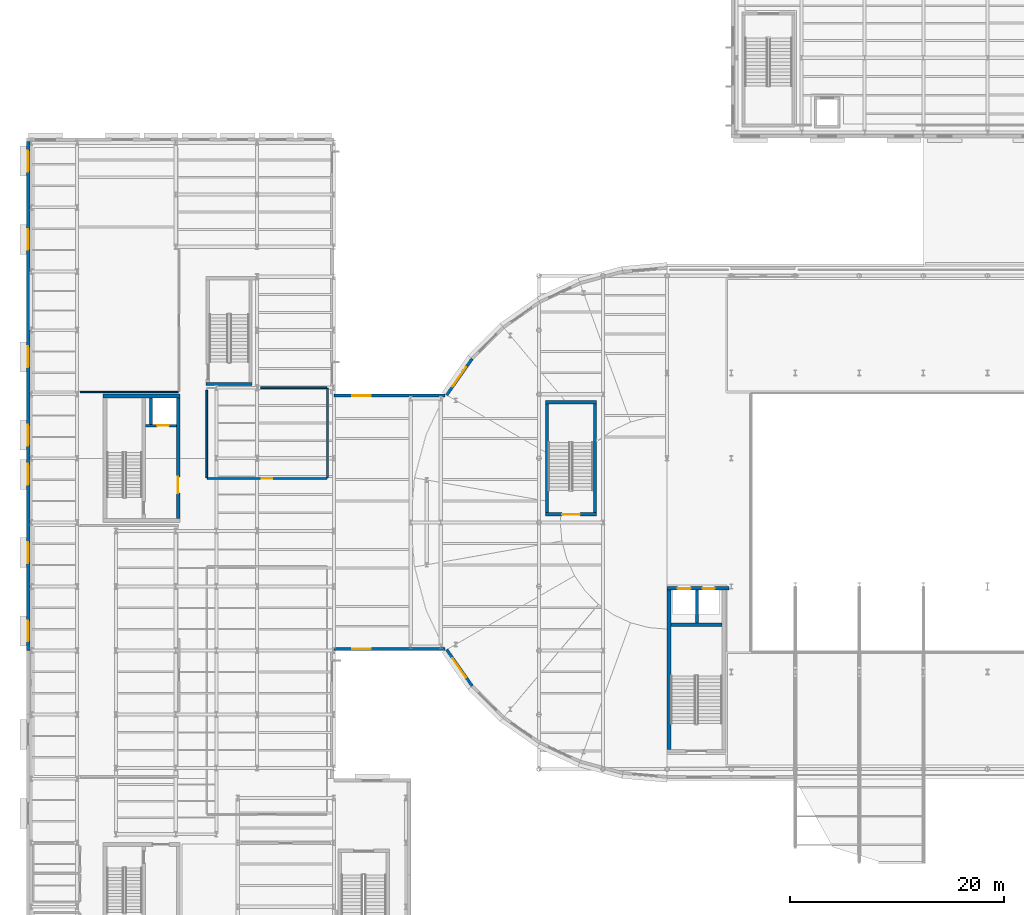
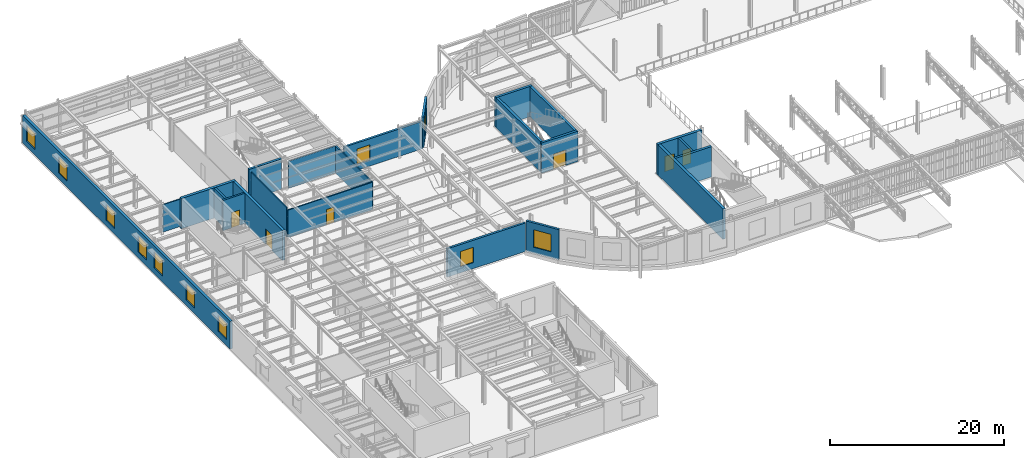
# One storey, part 65 of 91: 23 walls, 11 windows, 6 doors, 17 openings.
"""IFC4 building model written with IfcOpenShell, lengths in metres."""

from ifc_helpers import new_model, si_unit, direction, frame, frame_2d, origin, place, context, subcontext, project, spatial, rectangle, extrude, material, layer, layer_set, type_object, element, fill, save


model = new_model("IFC4")

# Units and contexts
model_context = context("Model", 3, precision=1e-05, world=origin(), true_north=direction((0.0, 1.0)))
body_context = subcontext(model_context, "Body", "Model", "MODEL_VIEW")
ifc_project = project(units=[si_unit("LENGTHUNIT", "METRE"), si_unit("AREAUNIT", "SQUARE_METRE"), si_unit("VOLUMEUNIT", "CUBIC_METRE"), si_unit("PLANEANGLEUNIT", "RADIAN"), si_unit("MASSUNIT", "GRAM", prefix="KILO")], contexts=[model_context])

# Site, building, storey
site_placement = place(None, origin())
site = spatial("IfcSite", under=ifc_project, at=site_placement, CompositionType="ELEMENT")
building_placement = place(site_placement, origin())
building = spatial("IfcBuilding", under=site, at=building_placement, Name="Kolvaren Corner Interchange", CompositionType="ELEMENT")
storey_placement = place(building_placement, frame((0.0, 0.0, 6.0)))
storey = spatial("IfcBuildingStorey", under=building, at=storey_placement, Name="L02", CompositionType="ELEMENT", Elevation=6.0)

# Wall
ifc_material_1 = material(Name="Concrete C35/45", Category="concrete")
ifc_layer_1 = layer(ifc_material_1, 0.35009765625)
ifc_layer_set_1 = layer_set([ifc_layer_1], Name="Concrete C35/45")
wall_type_1 = type_object("IfcWallType", Name="WL-CORE-350", PredefinedType="SHEAR", material=ifc_layer_set_1)
wall_1_placement = place(storey_placement, frame((7.199951171875, 59.824951171875, 0.0), z_axis=(0.0, 0.0, 1.0), x_axis=(1.0, 0.0, 0.0)))
element("IfcWall", 1, at=wall_1_placement, inside=storey, type_object=wall_type_1, Name="Core C2 L02 North Shear Wall", PredefinedType="SHEAR", context=body_context, shape_type="SweptSolid", body=[
    extrude(rectangle(XDim=7.199951171875, YDim=0.35009765625, at=frame_2d((3.60009765625, 0.0))), origin(), (0.0, 0.0, 1.0), 4.25),
])

# Wall, opening, door
wall_2_placement = place(storey_placement, frame((14.22509765625, 48.35009765625, 0.0), z_axis=(0.0, 0.0, 1.0), x_axis=(0.0, 1.0, 0.0)))
wall_2 = element("IfcWall", 2, at=wall_2_placement, inside=storey, type_object=wall_type_1, Name="Core C2 L02 East Shear Wall", PredefinedType="SHEAR", context=body_context, shape_type="SweptSolid", body=[
    extrude(rectangle(XDim=11.2998046875, YDim=0.35009765625, at=frame_2d((5.64990234375, 0.0))), origin(), (0.0, 0.0, 1.0), 4.25),
])
opening_1_placement = place(wall_2_placement, frame((2.39990234375, 0.0, 0.0)))
opening_1 = element("IfcOpeningElement", 3, at=opening_1_placement, cuts=wall_2, Name="Opening D-F02", PredefinedType="OPENING", context=body_context, shape_type="SweptSolid", body=[
    extrude(rectangle(XDim=1.5, YDim=2.14990234375, at=frame_2d((0.75, 1.074951171875))), frame((0.0, 0.18505859375, 0.0), z_axis=(0.0, -1.0, 0.0), x_axis=(1.0, 0.0, 0.0)), (0.0, 0.0, 1.0), 0.3701171875),
])
ifc_material_2 = material(Name="Powder-coated Fire-rated Steel Sheet", Category="steel")
door_type_1 = type_object("IfcDoorType", Name="DT-FD-1500x2150", OperationType="NOTDEFINED", PredefinedType="DOOR", material=ifc_material_2)
door_1_placement = place(opening_1_placement, origin())
door_1 = element("IfcDoor", 4, at=door_1_placement, inside=storey, type_object=door_type_1, Name="Core C2 L02 Firefighting Lobby Corridor Exit Door", OperationType="DOUBLE_DOOR_SINGLE_SWING", OverallHeight=2.14990234375, OverallWidth=1.5, PredefinedType="DOOR", context=body_context, shape_type="SweptSolid", body=[
    extrude(rectangle(XDim=1.5, YDim=2.14990234375, at=frame_2d((0.75, 1.074951171875))), frame((0.0, 0.02490234375, 0.0), z_axis=(0.0, -1.0, 0.0), x_axis=(1.0, 0.0, 0.0)), (0.0, 0.0, 1.0), 0.050048828125),
])
fill(opening_1, door_1)

# Wall, openings, doors
wall_3_placement = place(storey_placement, frame((60.0, 41.824951171875, 0.0), z_axis=(0.0, 0.0, 1.0), x_axis=(1.0, 0.0, 0.0)))
wall_3 = element("IfcWall", 5, at=wall_3_placement, inside=storey, type_object=wall_type_1, Name="Core C3 L02 North Shear Wall", PredefinedType="SHEAR", context=body_context, shape_type="SweptSolid", body=[
    extrude(rectangle(XDim=5.820068359375, YDim=0.35009765625, at=frame_2d((2.91015625, 0.0))), origin(), (0.0, 0.0, 1.0), 4.25),
])
opening_2_placement = place(wall_3_placement, frame((0.989990234375, 0.0, 0.0)))
opening_2 = element("IfcOpeningElement", 6, at=opening_2_placement, cuts=wall_3, Name="Opening LD-LF-P1-L02", PredefinedType="OPENING", context=body_context, shape_type="SweptSolid", body=[
    extrude(rectangle(XDim=1.219970703125, YDim=2.14990234375, at=frame_2d((0.60986328125, 1.074951171875))), frame((0.0, 0.18505859375, 0.0), z_axis=(0.0, -1.0, 0.0), x_axis=(1.0, 0.0, 0.0)), (0.0, 0.0, 1.0), 0.3701171875),
])
opening_3_placement = place(wall_3_placement, frame((3.340087890625, 0.0, 0.0)))
opening_3 = element("IfcOpeningElement", 7, at=opening_3_placement, cuts=wall_3, Name="Opening LD-LF-P3-L02", PredefinedType="OPENING", context=body_context, shape_type="SweptSolid", body=[
    extrude(rectangle(XDim=1.1201171875, YDim=2.14990234375, at=frame_2d((0.56005859375, 1.074951171875))), frame((0.0, 0.18505859375, 0.0), z_axis=(0.0, -1.0, 0.0), x_axis=(1.0, 0.0, 0.0)), (0.0, 0.0, 1.0), 0.3701171875),
])
ifc_material_3 = material(Name="Brushed Stainless Steel Landing Door", Category="steel")
door_type_2 = type_object("IfcDoorType", Name="DT-LIFT-1120", OperationType="NOTDEFINED", PredefinedType="DOOR", material=ifc_material_3)
door_2_placement = place(opening_3_placement, origin())
door_2 = element("IfcDoor", 8, at=door_2_placement, inside=storey, type_object=door_type_2, Name="Passenger Lift LF P3 L02 Sliding Landing Door", OperationType="SLIDING_TO_LEFT", OverallHeight=2.14990234375, OverallWidth=1.1201171875, PredefinedType="DOOR", context=body_context, shape_type="SweptSolid", body=[
    extrude(rectangle(XDim=1.1201171875, YDim=2.14990234375, at=frame_2d((0.56005859375, 1.074951171875))), frame((0.0, 0.02490234375, 0.0), z_axis=(0.0, -1.0, 0.0), x_axis=(1.0, 0.0, 0.0)), (0.0, 0.0, 1.0), 0.050048828125),
])
fill(opening_3, door_2)
ifc_material_4 = material(Name="Brushed Stainless Steel Landing Door", Category="steel")
door_type_3 = type_object("IfcDoorType", Name="DT-LIFT-1220", OperationType="NOTDEFINED", PredefinedType="DOOR", material=ifc_material_4)
door_3_placement = place(opening_2_placement, origin())
door_3 = element("IfcDoor", 9, at=door_3_placement, inside=storey, type_object=door_type_3, Name="Passenger Lift LF P1 L02 Sliding Landing Door", OperationType="DOUBLE_DOOR_SLIDING", OverallHeight=2.14990234375, OverallWidth=1.219970703125, PredefinedType="DOOR", context=body_context, shape_type="SweptSolid", body=[
    extrude(rectangle(XDim=1.219970703125, YDim=2.14990234375, at=frame_2d((0.60986328125, 1.074951171875))), frame((0.0, 0.02490234375, 0.0), z_axis=(0.0, -1.0, 0.0), x_axis=(1.0, 0.0, 0.0)), (0.0, 0.0, 1.0), 0.050048828125),
])
fill(opening_2, door_3)

# Walls
wall_4_placement = place(storey_placement, frame((60.175048828125, 26.75, 0.0), z_axis=(0.0, 0.0, 1.0), x_axis=(0.0, 1.0, 0.0)))
element("IfcWall", 10, at=wall_4_placement, inside=storey, type_object=wall_type_1, Name="Core C3 L02 West Shear Wall", PredefinedType="SHEAR", context=body_context, shape_type="SweptSolid", body=[
    extrude(rectangle(XDim=14.89990234375, YDim=0.35009765625, at=frame_2d((7.449951171875, 0.0))), origin(), (0.0, 0.0, 1.0), 4.25),
])
ifc_material_5 = material(Name="Concrete C35/45", Category="concrete")
ifc_layer_2 = layer(ifc_material_5, 0.31005859375)
ifc_layer_set_2 = layer_set([ifc_layer_2], Name="Concrete C35/45")
wall_type_2 = type_object("IfcWallType", Name="WL-STAIR-300", PredefinedType="SHEAR", material=ifc_layer_set_2)
wall_5_placement = place(storey_placement, frame((60.35009765625, 38.39990234375, 0.0), z_axis=(0.0, 0.0, 1.0), x_axis=(1.0, 0.0, 0.0)))
element("IfcWall", 11, at=wall_5_placement, inside=storey, type_object=wall_type_2, Name="Core C3 L02 Lift and Stairwell Divider Wall", PredefinedType="SHEAR", context=body_context, shape_type="SweptSolid", body=[
    extrude(rectangle(XDim=4.7998046875, YDim=0.31005859375, at=frame_2d((2.39990234375, 0.0))), origin(), (0.0, 0.0, 1.0), 4.25),
])

# Wall, opening, door
wall_6_placement = place(storey_placement, frame((48.60009765625, 48.7548828125, 0.0), z_axis=(0.0, 0.0, 1.0), x_axis=(1.0, 0.0, 0.0)))
wall_6 = element("IfcWall", 12, at=wall_6_placement, inside=storey, type_object=wall_type_2, Name="West Racetrack Concourse Gallery Stair L02 South Enclosure Wall", PredefinedType="SHEAR", context=body_context, shape_type="SweptSolid", body=[
    extrude(rectangle(XDim=4.7998046875, YDim=0.31005859375, at=frame_2d((2.39990234375, 0.0))), origin(), (0.0, 0.0, 1.0), 4.25),
])
opening_4_placement = place(wall_6_placement, frame((1.574951171875, 0.0, 0.0)))
opening_4 = element("IfcOpeningElement", 13, at=opening_4_placement, cuts=wall_6, Name="Opening D-F06", PredefinedType="OPENING", context=body_context, shape_type="SweptSolid", body=[
    extrude(rectangle(XDim=1.64990234375, YDim=2.14990234375, at=frame_2d((0.824951171875, 1.074951171875))), frame((0.0, 0.1650390625, 0.0), z_axis=(0.0, -1.0, 0.0), x_axis=(1.0, 0.0, 0.0)), (0.0, 0.0, 1.0), 0.330078125),
])
ifc_material_6 = material(Name="Powder-coated Fire-rated Steel Sheet", Category="steel")
door_type_4 = type_object("IfcDoorType", Name="DT-FD-1650x2150", OperationType="NOTDEFINED", PredefinedType="DOOR", material=ifc_material_6)
door_4_placement = place(opening_4_placement, origin())
door_4 = element("IfcDoor", 14, at=door_4_placement, inside=storey, type_object=door_type_4, Name="West Racetrack Concourse Gallery Stair L02 Protected Exit Door", OperationType="DOUBLE_DOOR_SINGLE_SWING", OverallHeight=2.14990234375, OverallWidth=1.64990234375, PredefinedType="DOOR", context=body_context, shape_type="SweptSolid", body=[
    extrude(rectangle(XDim=1.64990234375, YDim=2.14990234375, at=frame_2d((0.824951171875, 1.074951171875))), frame((0.0, 0.02490234375, 0.0), z_axis=(0.0, -1.0, 0.0), x_axis=(1.0, 0.0, 0.0)), (0.0, 0.0, 1.0), 0.050048828125),
])
fill(opening_4, door_4)

# Walls
wall_7_placement = place(storey_placement, frame((48.60009765625, 59.2451171875, 0.0), z_axis=(0.0, 0.0, 1.0), x_axis=(1.0, 0.0, 0.0)))
element("IfcWall", 15, at=wall_7_placement, inside=storey, type_object=wall_type_2, Name="West Racetrack Concourse Gallery Stair L02 North Enclosure Wall", PredefinedType="SHEAR", context=body_context, shape_type="SweptSolid", body=[
    extrude(rectangle(XDim=4.7998046875, YDim=0.31005859375, at=frame_2d((2.39990234375, 0.0))), origin(), (0.0, 0.0, 1.0), 4.25),
])
for number, where, z_axis, x_axis, name in (
    (16, (48.7548828125, 48.909912109375, 0.0), (0.0, 0.0, 1.0), (0.0, 1.0, 0.0), "West Racetrack Concourse Gallery Stair L02 West Enclosure Wall"),
    (17, (53.2451171875, 48.909912109375, 0.0), (0.0, 0.0, 1.0), (0.0, 1.0, 0.0), "West Racetrack Concourse Gallery Stair L02 East Enclosure Wall"),
):
    element("IfcWall", number, at=place(storey_placement, frame(where, z_axis=z_axis, x_axis=x_axis)), inside=storey, type_object=wall_type_2, Name=name, PredefinedType="SHEAR", context=body_context, shape_type="SweptSolid", body=[
        extrude(rectangle(XDim=10.18017578125, YDim=0.31005859375, at=frame_2d((5.090087890625, 0.0))), origin(), (0.0, 0.0, 1.0), 4.25),
    ])
wall_8_placement = place(storey_placement, frame((16.85009765625, 60.955078125, 0.0), z_axis=(0.0, 0.0, 1.0), x_axis=(1.0, 0.0, 0.0)))
element("IfcWall", 18, at=wall_8_placement, inside=storey, type_object=wall_type_2, Name="Operations North Wing Protected Exit Stair L02 South Enclosure Wall", PredefinedType="SHEAR", context=body_context, shape_type="SweptSolid", body=[
    extrude(rectangle(XDim=4.2998046875, YDim=0.31005859375, at=frame_2d((2.14990234375, 0.0))), origin(), (0.0, 0.0, 1.0), 4.25),
])

# Wall, openings, windows
ifc_material_7 = material(Name="Cream Architectural Terracotta Rainscreen Assembly", Category="masonry")
ifc_layer_3 = layer(ifc_material_7, 0.330078125)
ifc_layer_set_3 = layer_set([ifc_layer_3], Name="Cream Architectural Terracotta Rainscreen Assembly")
wall_type_3 = type_object("IfcWallType", Name="WT-EXT-TC320", PredefinedType="SOLIDWALL", material=ifc_layer_set_3)
wall_9_placement = place(storey_placement, frame((0.169921875, 83.659912109375, 0.0), z_axis=(0.0, 0.0, 1.0), x_axis=(0.0, -1.0, 0.0)))
wall_9 = element("IfcWall", 19, at=wall_9_placement, inside=storey, type_object=wall_type_3, Name="Operations Trelmava Street West Facade Wall 0022", PredefinedType="SOLIDWALL", context=body_context, shape_type="SweptSolid", body=[
    extrude(rectangle(XDim=47.659912109375, YDim=0.330078125, at=frame_2d((23.830078125, 0.0))), origin(), (0.0, 0.0, 1.0), 3.885009765625),
])
opening_5_placement = place(wall_9_placement, frame((0.858154296875, 0.0, 0.820068359375)))
opening_5 = element("IfcOpeningElement", 20, at=opening_5_placement, cuts=wall_9, Name="Opening W-20", PredefinedType="OPENING", context=body_context, shape_type="SweptSolid", body=[
    extrude(rectangle(XDim=1.949951171875, YDim=2.25, at=frame_2d((0.97509765625, 1.125))), frame((0.0, 0.175048828125, 0.0), z_axis=(0.0, -1.0, 0.0), x_axis=(1.0, 0.0, 0.0)), (0.0, 0.0, 1.0), 0.35009765625),
])
opening_6_placement = place(wall_9_placement, frame((8.1904296875, 0.0, 0.820068359375)))
opening_6 = element("IfcOpeningElement", 21, at=opening_6_placement, cuts=wall_9, Name="Opening W-20", PredefinedType="OPENING", context=body_context, shape_type="SweptSolid", body=[
    extrude(rectangle(XDim=1.949951171875, YDim=2.25, at=frame_2d((0.97509765625, 1.125))), frame((0.0, 0.175048828125, 0.0), z_axis=(0.0, -1.0, 0.0), x_axis=(1.0, 0.0, 0.0)), (0.0, 0.0, 1.0), 0.35009765625),
])
opening_7_placement = place(wall_9_placement, frame((19.188720703125, 0.0, 0.820068359375)))
opening_7 = element("IfcOpeningElement", 22, at=opening_7_placement, cuts=wall_9, Name="Opening W-20", PredefinedType="OPENING", context=body_context, shape_type="SweptSolid", body=[
    extrude(rectangle(XDim=1.949951171875, YDim=2.25, at=frame_2d((0.97509765625, 1.125))), frame((0.0, 0.175048828125, 0.0), z_axis=(0.0, -1.0, 0.0), x_axis=(1.0, 0.0, 0.0)), (0.0, 0.0, 1.0), 0.35009765625),
])
opening_8_placement = place(wall_9_placement, frame((26.521240234375, 0.0, 0.820068359375)))
opening_8 = element("IfcOpeningElement", 23, at=opening_8_placement, cuts=wall_9, Name="Opening W-20", PredefinedType="OPENING", context=body_context, shape_type="SweptSolid", body=[
    extrude(rectangle(XDim=1.949951171875, YDim=2.25, at=frame_2d((0.97509765625, 1.125))), frame((0.0, 0.175048828125, 0.0), z_axis=(0.0, -1.0, 0.0), x_axis=(1.0, 0.0, 0.0)), (0.0, 0.0, 1.0), 0.35009765625),
])
opening_9_placement = place(wall_9_placement, frame((30.187255859375, 0.0, 0.820068359375)))
opening_9 = element("IfcOpeningElement", 24, at=opening_9_placement, cuts=wall_9, Name="Opening W-20", PredefinedType="OPENING", context=body_context, shape_type="SweptSolid", body=[
    extrude(rectangle(XDim=1.949951171875, YDim=2.25, at=frame_2d((0.97509765625, 1.125))), frame((0.0, 0.175048828125, 0.0), z_axis=(0.0, -1.0, 0.0), x_axis=(1.0, 0.0, 0.0)), (0.0, 0.0, 1.0), 0.35009765625),
])
opening_10_placement = place(wall_9_placement, frame((37.51953125, 0.0, 0.820068359375)))
opening_10 = element("IfcOpeningElement", 25, at=opening_10_placement, cuts=wall_9, Name="Opening W-20", PredefinedType="OPENING", context=body_context, shape_type="SweptSolid", body=[
    extrude(rectangle(XDim=1.949951171875, YDim=2.25, at=frame_2d((0.97509765625, 1.125))), frame((0.0, 0.175048828125, 0.0), z_axis=(0.0, -1.0, 0.0), x_axis=(1.0, 0.0, 0.0)), (0.0, 0.0, 1.0), 0.35009765625),
])
opening_11_placement = place(wall_9_placement, frame((44.851806640625, 0.0, 0.820068359375)))
opening_11 = element("IfcOpeningElement", 26, at=opening_11_placement, cuts=wall_9, Name="Opening W-20", PredefinedType="OPENING", context=body_context, shape_type="SweptSolid", body=[
    extrude(rectangle(XDim=1.949951171875, YDim=2.25, at=frame_2d((0.97509765625, 1.125))), frame((0.0, 0.175048828125, 0.0), z_axis=(0.0, -1.0, 0.0), x_axis=(1.0, 0.0, 0.0)), (0.0, 0.0, 1.0), 0.35009765625),
])
ifc_material_8 = material(Name="Thermally Broken Aluminium and Solar-Control Double Glazing", Category="aluminium")
window_type_1 = type_object("IfcWindowType", Name="WT-CHI-1950x2250", PartitioningType="DOUBLE_PANEL_VERTICAL", PredefinedType="WINDOW", material=ifc_material_8)
window_1_placement = place(opening_5_placement, origin())
window_1 = element("IfcWindow", 27, at=window_1_placement, inside=storey, type_object=window_type_1, Name="L02 Operations Trelmava Street West Facade Window 0046", OverallHeight=2.25, OverallWidth=1.949951171875, PartitioningType="SINGLE_PANEL", PredefinedType="WINDOW", context=body_context, shape_type="SweptSolid", body=[
    extrude(rectangle(XDim=1.949951171875, YDim=2.25, at=frame_2d((0.97509765625, 1.125))), frame((0.0, 0.030029296875, 0.0), z_axis=(0.0, -1.0, 0.0), x_axis=(1.0, 0.0, 0.0)), (0.0, 0.0, 1.0), 0.06005859375),
])
fill(opening_5, window_1)
window_2_placement = place(opening_6_placement, origin())
window_2 = element("IfcWindow", 28, at=window_2_placement, inside=storey, type_object=window_type_1, Name="L02 Operations Trelmava Street West Facade Window 0047", OverallHeight=2.25, OverallWidth=1.949951171875, PartitioningType="SINGLE_PANEL", PredefinedType="WINDOW", context=body_context, shape_type="SweptSolid", body=[
    extrude(rectangle(XDim=1.949951171875, YDim=2.25, at=frame_2d((0.97509765625, 1.125))), frame((0.0, 0.030029296875, 0.0), z_axis=(0.0, -1.0, 0.0), x_axis=(1.0, 0.0, 0.0)), (0.0, 0.0, 1.0), 0.06005859375),
])
fill(opening_6, window_2)
window_3_placement = place(opening_7_placement, origin())
window_3 = element("IfcWindow", 29, at=window_3_placement, inside=storey, type_object=window_type_1, Name="L02 Operations Trelmava Street West Facade Window 0048", OverallHeight=2.25, OverallWidth=1.949951171875, PartitioningType="SINGLE_PANEL", PredefinedType="WINDOW", context=body_context, shape_type="SweptSolid", body=[
    extrude(rectangle(XDim=1.949951171875, YDim=2.25, at=frame_2d((0.97509765625, 1.125))), frame((0.0, 0.030029296875, 0.0), z_axis=(0.0, -1.0, 0.0), x_axis=(1.0, 0.0, 0.0)), (0.0, 0.0, 1.0), 0.06005859375),
])
fill(opening_7, window_3)
window_4_placement = place(opening_8_placement, origin())
window_4 = element("IfcWindow", 30, at=window_4_placement, inside=storey, type_object=window_type_1, Name="L02 Operations Trelmava Street West Facade Window 0049", OverallHeight=2.25, OverallWidth=1.949951171875, PartitioningType="SINGLE_PANEL", PredefinedType="WINDOW", context=body_context, shape_type="SweptSolid", body=[
    extrude(rectangle(XDim=1.949951171875, YDim=2.25, at=frame_2d((0.97509765625, 1.125))), frame((0.0, 0.030029296875, 0.0), z_axis=(0.0, -1.0, 0.0), x_axis=(1.0, 0.0, 0.0)), (0.0, 0.0, 1.0), 0.06005859375),
])
fill(opening_8, window_4)
window_5_placement = place(opening_9_placement, origin())
window_5 = element("IfcWindow", 31, at=window_5_placement, inside=storey, type_object=window_type_1, Name="L02 Operations Trelmava Street West Facade Window 0050", OverallHeight=2.25, OverallWidth=1.949951171875, PartitioningType="SINGLE_PANEL", PredefinedType="WINDOW", context=body_context, shape_type="SweptSolid", body=[
    extrude(rectangle(XDim=1.949951171875, YDim=2.25, at=frame_2d((0.97509765625, 1.125))), frame((0.0, 0.030029296875, 0.0), z_axis=(0.0, -1.0, 0.0), x_axis=(1.0, 0.0, 0.0)), (0.0, 0.0, 1.0), 0.06005859375),
])
fill(opening_9, window_5)
window_6_placement = place(opening_10_placement, origin())
window_6 = element("IfcWindow", 32, at=window_6_placement, inside=storey, type_object=window_type_1, Name="L02 Operations Trelmava Street West Facade Window 0051", OverallHeight=2.25, OverallWidth=1.949951171875, PartitioningType="SINGLE_PANEL", PredefinedType="WINDOW", context=body_context, shape_type="SweptSolid", body=[
    extrude(rectangle(XDim=1.949951171875, YDim=2.25, at=frame_2d((0.97509765625, 1.125))), frame((0.0, 0.030029296875, 0.0), z_axis=(0.0, -1.0, 0.0), x_axis=(1.0, 0.0, 0.0)), (0.0, 0.0, 1.0), 0.06005859375),
])
fill(opening_10, window_6)
window_7_placement = place(opening_11_placement, origin())
window_7 = element("IfcWindow", 33, at=window_7_placement, inside=storey, type_object=window_type_1, Name="L02 Operations Trelmava Street West Facade Window 0052", OverallHeight=2.25, OverallWidth=1.949951171875, PartitioningType="SINGLE_PANEL", PredefinedType="WINDOW", context=body_context, shape_type="SweptSolid", body=[
    extrude(rectangle(XDim=1.949951171875, YDim=2.25, at=frame_2d((0.97509765625, 1.125))), frame((0.0, 0.030029296875, 0.0), z_axis=(0.0, -1.0, 0.0), x_axis=(1.0, 0.0, 0.0)), (0.0, 0.0, 1.0), 0.06005859375),
])
fill(opening_11, window_7)

# Wall, opening, window
ifc_material_9 = material(Name="White Glazed Ceramic Terracotta Band Assembly", Category="masonry")
ifc_layer_4 = layer(ifc_material_9, 0.280029296875)
ifc_layer_set_4 = layer_set([ifc_layer_4], Name="White Glazed Ceramic Terracotta Band Assembly")
wall_type_4 = type_object("IfcWallType", Name="WT-EXT-WHT280", PredefinedType="SOLIDWALL", material=ifc_layer_set_4)
wall_10_placement = place(storey_placement, frame((28.800048828125, 36.139892578125, 0.0), z_axis=(0.0, 0.0, 1.0), x_axis=(1.0, 0.0, 0.0)))
wall_10 = element("IfcWall", 34, at=wall_10_placement, inside=storey, type_object=wall_type_4, Name="West Concourse Link South Wall 0061", PredefinedType="SOLIDWALL", context=body_context, shape_type="SweptSolid", body=[
    extrude(rectangle(XDim=10.39990234375, YDim=0.280029296875, at=frame_2d((5.199951171875, 0.0))), origin(), (0.0, 0.0, 1.0), 3.985107421875),
])
opening_12_placement = place(wall_10_placement, frame((1.72509765625, 0.0, 0.85009765625)))
opening_12 = element("IfcOpeningElement", 35, at=opening_12_placement, cuts=wall_10, Name="Opening W-21", PredefinedType="OPENING", context=body_context, shape_type="SweptSolid", body=[
    extrude(rectangle(XDim=1.75, YDim=2.14990234375, at=frame_2d((0.875, 1.074951171875))), frame((0.0, 0.14990234375, 0.0), z_axis=(0.0, -1.0, 0.0), x_axis=(1.0, 0.0, 0.0)), (0.0, 0.0, 1.0), 0.300048828125),
])
ifc_material_10 = material(Name="Thermally Broken Aluminium and Solar-Control Double Glazing", Category="aluminium")
window_type_2 = type_object("IfcWindowType", Name="WT-ARC-1750x2150", PartitioningType="DOUBLE_PANEL_VERTICAL", PredefinedType="WINDOW", material=ifc_material_10)
window_8_placement = place(opening_12_placement, origin())
window_8 = element("IfcWindow", 36, at=window_8_placement, inside=storey, type_object=window_type_2, Name="L02 West Concourse Link South Window 0145", OverallHeight=2.14990234375, OverallWidth=1.75, PartitioningType="SINGLE_PANEL", PredefinedType="WINDOW", context=body_context, shape_type="SweptSolid", body=[
    extrude(rectangle(XDim=1.75, YDim=2.14990234375, at=frame_2d((0.875, 1.074951171875))), frame((0.0, 0.030029296875, 0.0), z_axis=(0.0, -1.0, 0.0), x_axis=(1.0, 0.0, 0.0)), (0.0, 0.0, 1.0), 0.06005859375),
])
fill(opening_12, window_8)

wall_11_placement = place(storey_placement, frame((39.199951171875, 59.860107421875, 0.0), z_axis=(0.0, 0.0, 1.0), x_axis=(-1.0, 0.0, 0.0)))
wall_11 = element("IfcWall", 37, at=wall_11_placement, inside=storey, type_object=wall_type_4, Name="West Concourse Link North Wall 0062", PredefinedType="SOLIDWALL", context=body_context, shape_type="SweptSolid", body=[
    extrude(rectangle(XDim=10.39990234375, YDim=0.280029296875, at=frame_2d((5.199951171875, 0.0))), origin(), (0.0, 0.0, 1.0), 3.844970703125),
])
opening_13_placement = place(wall_11_placement, frame((6.925048828125, 0.0, 0.85009765625)))
opening_13 = element("IfcOpeningElement", 38, at=opening_13_placement, cuts=wall_11, Name="Opening W-21", PredefinedType="OPENING", context=body_context, shape_type="SweptSolid", body=[
    extrude(rectangle(XDim=1.75, YDim=2.14990234375, at=frame_2d((0.875, 1.074951171875))), frame((0.0, 0.14990234375, 0.0), z_axis=(0.0, -1.0, 0.0), x_axis=(1.0, 0.0, 0.0)), (0.0, 0.0, 1.0), 0.300048828125),
])
window_9_placement = place(opening_13_placement, origin())
window_9 = element("IfcWindow", 39, at=window_9_placement, inside=storey, type_object=window_type_2, Name="L02 West Concourse Link North Window 0146", OverallHeight=2.14990234375, OverallWidth=1.75, PartitioningType="SINGLE_PANEL", PredefinedType="WINDOW", context=body_context, shape_type="SweptSolid", body=[
    extrude(rectangle(XDim=1.75, YDim=2.14990234375, at=frame_2d((0.875, 1.074951171875))), frame((0.0, 0.030029296875, 0.0), z_axis=(0.0, -1.0, 0.0), x_axis=(1.0, 0.0, 0.0)), (0.0, 0.0, 1.0), 0.06005859375),
])
fill(opening_13, window_9)

wall_12_placement = place(storey_placement, frame((41.737548828125, 63.32421875, 0.0), z_axis=(0.0, 0.0, 1.0), x_axis=(-0.573549082007, -0.819171197327, 0.0)))
wall_12 = element("IfcWall", 40, at=wall_12_placement, inside=storey, type_object=wall_type_4, Name="Racetrack West Curved Drum Chord 06 Wall 0082", PredefinedType="SOLIDWALL", context=body_context, shape_type="SweptSolid", body=[
    extrude(rectangle(XDim=4.15576171875, YDim=0.280029296875, at=frame_2d((2.077880859375, 0.0))), origin(), (0.0, 0.0, 1.0), 4.25),
])
opening_14_placement = place(wall_12_placement, frame((0.977783203125, 0.0, 0.85009765625)))
opening_14 = element("IfcOpeningElement", 41, at=opening_14_placement, cuts=wall_12, Name="Opening W-04", PredefinedType="OPENING", context=body_context, shape_type="SweptSolid", body=[
    extrude(rectangle(XDim=2.199951171875, YDim=2.449951171875, at=frame_2d((1.10009765625, 1.22509765625))), frame((0.0, 0.14990234375, 0.0), z_axis=(0.0, -1.0, 0.0), x_axis=(1.0, 0.0, 0.0)), (0.0, 0.0, 1.0), 0.300048828125),
])
ifc_material_11 = material(Name="Thermally Broken Aluminium and Solar-Control Double Glazing", Category="aluminium")
window_type_3 = type_object("IfcWindowType", Name="WT-ARC-2200x2450", PartitioningType="DOUBLE_PANEL_VERTICAL", PredefinedType="WINDOW", material=ifc_material_11)
window_10_placement = place(opening_14_placement, origin())
window_10 = element("IfcWindow", 42, at=window_10_placement, inside=storey, type_object=window_type_3, Name="L02 Racetrack West Curved Drum Chord 06 Window 0159", OverallHeight=2.449951171875, OverallWidth=2.199951171875, PartitioningType="SINGLE_PANEL", PredefinedType="WINDOW", context=body_context, shape_type="SweptSolid", body=[
    extrude(rectangle(XDim=2.199951171875, YDim=2.449951171875, at=frame_2d((1.10009765625, 1.22509765625))), frame((0.0, 0.030029296875, 0.0), z_axis=(0.0, -1.0, 0.0), x_axis=(1.0, 0.0, 0.0)), (0.0, 0.0, 1.0), 0.06005859375),
])
fill(opening_14, window_10)

wall_13_placement = place(storey_placement, frame((39.35400390625, 36.080078125, 0.0), z_axis=(0.0, 0.0, 1.0), x_axis=(0.573549082007, -0.819171197327, 0.0)))
wall_13 = element("IfcWall", 43, at=wall_13_placement, inside=storey, type_object=wall_type_4, Name="Racetrack West Curved Drum Chord 13 Wall 0083", PredefinedType="SOLIDWALL", context=body_context, shape_type="SweptSolid", body=[
    extrude(rectangle(XDim=4.15576171875, YDim=0.280029296875, at=frame_2d((2.077880859375, 0.0))), origin(), (0.0, 0.0, 1.0), 4.25),
])
opening_15_placement = place(wall_13_placement, frame((0.977783203125, 0.0, 0.85009765625)))
opening_15 = element("IfcOpeningElement", 44, at=opening_15_placement, cuts=wall_13, Name="Opening W-04", PredefinedType="OPENING", context=body_context, shape_type="SweptSolid", body=[
    extrude(rectangle(XDim=2.199951171875, YDim=2.449951171875, at=frame_2d((1.10009765625, 1.22509765625))), frame((0.0, 0.14990234375, 0.0), z_axis=(0.0, -1.0, 0.0), x_axis=(1.0, 0.0, 0.0)), (0.0, 0.0, 1.0), 0.300048828125),
])
window_11_placement = place(opening_15_placement, origin())
window_11 = element("IfcWindow", 45, at=window_11_placement, inside=storey, type_object=window_type_3, Name="L02 Racetrack West Curved Drum Chord 13 Window 0160", OverallHeight=2.449951171875, OverallWidth=2.199951171875, PartitioningType="SINGLE_PANEL", PredefinedType="WINDOW", context=body_context, shape_type="SweptSolid", body=[
    extrude(rectangle(XDim=2.199951171875, YDim=2.449951171875, at=frame_2d((1.10009765625, 1.22509765625))), frame((0.0, 0.030029296875, 0.0), z_axis=(0.0, -1.0, 0.0), x_axis=(1.0, 0.0, 0.0)), (0.0, 0.0, 1.0), 0.06005859375),
])
fill(opening_15, window_11)

# Wall, opening, door
ifc_material_12 = material(Name="Acoustic Double-Stud Drywall Partition")
ifc_layer_5 = layer(ifc_material_12, 0.159912109375)
ifc_layer_set_5 = layer_set([ifc_layer_5], Name="Acoustic Double-Stud Drywall Partition")
wall_type_5 = type_object("IfcWallType", Name="WT-PART-AC160", PredefinedType="PARTITIONING", material=ifc_layer_set_5)
wall_14_placement = place(storey_placement, frame((16.949951171875, 52.10009765625, 0.0), z_axis=(0.0, 0.0, 1.0), x_axis=(1.0, 0.0, 0.0)))
wall_14 = element("IfcWall", 46, at=wall_14_placement, inside=storey, type_object=wall_type_5, Name="L02 Metro Operations Briefing Suite Partition Wall 103", PredefinedType="PARTITIONING", context=body_context, shape_type="SweptSolid", body=[
    extrude(rectangle(XDim=11.199951171875, YDim=0.159912109375, at=frame_2d((5.60009765625, 0.0))), origin(), (0.0, 0.0, 1.0), 3.844970703125),
])
opening_16_placement = place(wall_14_placement, frame((5.10009765625, 0.0, 0.0)))
opening_16 = element("IfcOpeningElement", 47, at=opening_16_placement, cuts=wall_14, Name="Opening D-F04", PredefinedType="OPENING", context=body_context, shape_type="SweptSolid", body=[
    extrude(rectangle(XDim=1.0, YDim=2.14990234375, at=frame_2d((0.5, 1.074951171875))), frame((0.0, 0.08984375, 0.0), z_axis=(0.0, -1.0, 0.0), x_axis=(1.0, 0.0, 0.0)), (0.0, 0.0, 1.0), 0.179931640625),
])
ifc_material_13 = material(Name="Solid-Core Iroko Timber Fire Door", Category="wood")
door_type_5 = type_object("IfcDoorType", Name="DT-FD-1000x2150", OperationType="NOTDEFINED", PredefinedType="DOOR", material=ifc_material_13)
door_5_placement = place(opening_16_placement, origin())
door_5 = element("IfcDoor", 48, at=door_5_placement, inside=storey, type_object=door_type_5, Name="L02 Metro Operations Briefing Suite Door", OperationType="SINGLE_SWING_RIGHT", OverallHeight=2.14990234375, OverallWidth=1.0, PredefinedType="DOOR", context=body_context, shape_type="SweptSolid", body=[
    extrude(rectangle(XDim=1.0, YDim=2.14990234375, at=frame_2d((0.5, 1.074951171875))), frame((0.0, 0.02490234375, 0.0), z_axis=(0.0, -1.0, 0.0), x_axis=(1.0, 0.0, 0.0)), (0.0, 0.0, 1.0), 0.050048828125),
])
fill(opening_16, door_5)

# Walls
wall_15_placement = place(storey_placement, frame((28.199951171875, 52.181884765625, 0.0), z_axis=(0.0, 0.0, 1.0), x_axis=(0.0, 1.0, 0.0)))
element("IfcWall", 49, at=wall_15_placement, inside=storey, type_object=wall_type_5, Name="L02 Metro Operations Briefing Suite Partition Wall 104", PredefinedType="PARTITIONING", context=body_context, shape_type="SweptSolid", body=[
    extrude(rectangle(XDim=8.3681640625, YDim=0.159912109375, at=frame_2d((4.18408203125, 0.0))), origin(), (0.0, 0.0, 1.0), 3.794921875),
])
wall_16_placement = place(storey_placement, frame((28.117919921875, 60.60009765625, 0.0), z_axis=(0.0, 0.0, 1.0), x_axis=(-1.0, 0.0, 0.0)))
element("IfcWall", 50, at=wall_16_placement, inside=storey, type_object=wall_type_5, Name="L02 Metro Operations Briefing Suite Partition Wall 105", PredefinedType="PARTITIONING", context=body_context, shape_type="SweptSolid", body=[
    extrude(rectangle(XDim=6.182861328125, YDim=0.159912109375, at=frame_2d((3.09130859375, 0.0))), origin(), (0.0, 0.0, 1.0), 3.794921875),
])
wall_17_placement = place(storey_placement, frame((16.89990234375, 60.360107421875, 0.0), z_axis=(0.0, 0.0, 1.0), x_axis=(0.0, -1.0, 0.0)))
element("IfcWall", 51, at=wall_17_placement, inside=storey, type_object=wall_type_5, Name="L02 Metro Operations Briefing Suite Partition Wall 106", PredefinedType="PARTITIONING", context=body_context, shape_type="SweptSolid", body=[
    extrude(rectangle(XDim=8.17822265625, YDim=0.159912109375, at=frame_2d((4.089111328125, 0.0))), origin(), (0.0, 0.0, 1.0), 4.159912109375),
])
ifc_material_14 = material(Name="Standard Metal-Stud Drywall Partition")
ifc_layer_6 = layer(ifc_material_14, 0.1201171875)
ifc_layer_set_6 = layer_set([ifc_layer_6], Name="Standard Metal-Stud Drywall Partition")
wall_type_6 = type_object("IfcWallType", Name="WT-PART-ST125", PredefinedType="PARTITIONING", material=ifc_layer_set_6)
wall_18_placement = place(storey_placement, frame((5.06005859375, 60.199951171875, 0.0), z_axis=(0.0, 0.0, 1.0), x_axis=(1.0, 0.0, 0.0)))
element("IfcWall", 52, at=wall_18_placement, inside=storey, type_object=wall_type_6, Name="L02 Driver Lockers and Changing Partition Wall 101", PredefinedType="PARTITIONING", context=body_context, shape_type="SweptSolid", body=[
    extrude(rectangle(XDim=9.18994140625, YDim=0.1201171875, at=frame_2d((4.594970703125, 0.0))), origin(), (0.0, 0.0, 1.0), 3.844970703125),
])

# Wall, opening, door
ifc_material_15 = material(Name="Concrete C35/45", Category="concrete")
ifc_layer_7 = layer(ifc_material_15, 0.25)
ifc_layer_set_7 = layer_set([ifc_layer_7], Name="Concrete C35/45")
wall_type_7 = type_object("IfcWallType", Name="WT-SHAFT-RC250", PredefinedType="SHEAR", material=ifc_layer_set_7)
wall_19_placement = place(storey_placement, frame((11.155029296875, 57.050048828125, 0.0), z_axis=(0.0, 0.0, 1.0), x_axis=(1.0, 0.0, 0.0)))
wall_19 = element("IfcWall", 53, at=wall_19_placement, inside=storey, type_object=wall_type_7, Name="Core C2 L02 Firefighting Lift Front Shaft Wall", PredefinedType="SHEAR", context=body_context, shape_type="SweptSolid", body=[
    extrude(rectangle(XDim=2.89501953125, YDim=0.25, at=frame_2d((1.447509765625, 0.0))), origin(), (0.0, 0.0, 1.0), 4.25),
])
opening_17_placement = place(wall_19_placement, frame((1.0849609375, 0.0, 0.0)))
opening_17 = element("IfcOpeningElement", 54, at=opening_17_placement, cuts=wall_19, Name="Opening LD-LF-FF2-L02", PredefinedType="OPENING", context=body_context, shape_type="SweptSolid", body=[
    extrude(rectangle(XDim=1.1201171875, YDim=2.14990234375, at=frame_2d((0.56005859375, 1.074951171875))), frame((0.0, 0.135009765625, 0.0), z_axis=(0.0, -1.0, 0.0), x_axis=(1.0, 0.0, 0.0)), (0.0, 0.0, 1.0), 0.27001953125),
])
door_6_placement = place(opening_17_placement, origin())
door_6 = element("IfcDoor", 55, at=door_6_placement, inside=storey, type_object=door_type_2, Name="Firefighting Lift LF-FF2 L02 Sliding Landing Door", OperationType="SLIDING_TO_LEFT", OverallHeight=2.14990234375, OverallWidth=1.1201171875, PredefinedType="DOOR", context=body_context, shape_type="SweptSolid", body=[
    extrude(rectangle(XDim=1.1201171875, YDim=2.14990234375, at=frame_2d((0.56005859375, 1.074951171875))), frame((0.0, 0.02490234375, 0.0), z_axis=(0.0, -1.0, 0.0), x_axis=(1.0, 0.0, 0.0)), (0.0, 0.0, 1.0), 0.050048828125),
])
fill(opening_17, door_6)

# Walls
wall_20_placement = place(storey_placement, frame((11.675048828125, 57.175048828125, 0.0), z_axis=(0.0, 0.0, 1.0), x_axis=(0.0, 1.0, 0.0)))
element("IfcWall", 56, at=wall_20_placement, inside=storey, type_object=wall_type_7, Name="Core C2 L02 Firefighting Lift Side Shaft Wall", PredefinedType="SHEAR", context=body_context, shape_type="SweptSolid", body=[
    extrude(rectangle(XDim=2.474853515625, YDim=0.25, at=frame_2d((1.2373046875, 0.0))), origin(), (0.0, 0.0, 1.0), 4.25),
])
wall_21_placement = place(storey_placement, frame((62.800048828125, 38.554931640625, 0.0), z_axis=(0.0, 0.0, 1.0), x_axis=(0.0, 1.0, 0.0)))
element("IfcWall", 57, at=wall_21_placement, inside=storey, type_object=wall_type_7, Name="Core L02 C3 Passenger Lift Divider Wall", PredefinedType="SHEAR", context=body_context, shape_type="SweptSolid", body=[
    extrude(rectangle(XDim=3.094970703125, YDim=0.25, at=frame_2d((1.54736328125, 0.0))), origin(), (0.0, 0.0, 1.0), 4.25),
])

save(model, "model.ifc")
